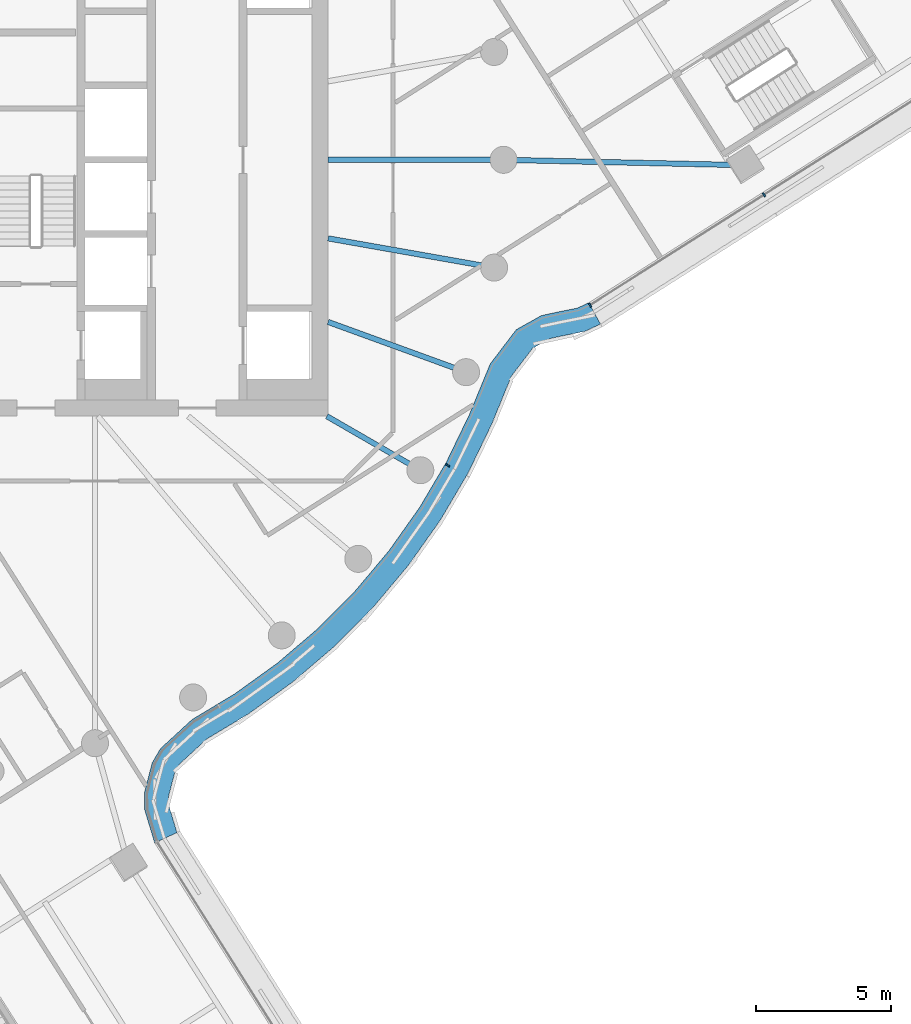
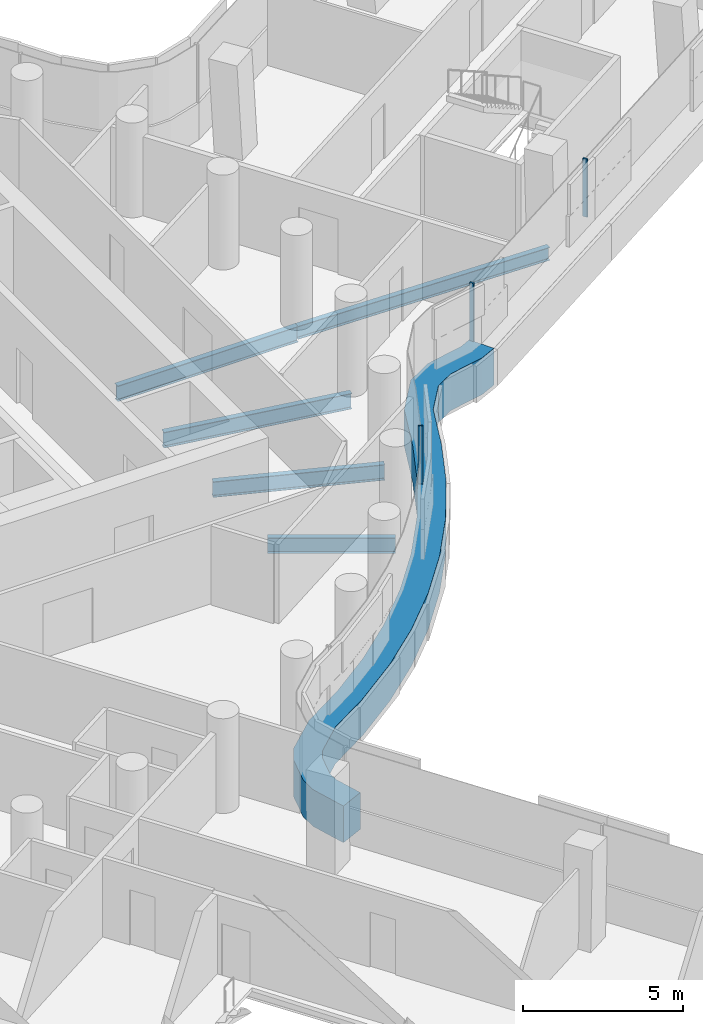
# One storey, part 12 of 36: 5 beams, 4 members, 2 elements without a shape of their own.
"""IFC4 building model written with IfcOpenShell, lengths in metres."""

from ifc_helpers import new_model, si_unit, direction, frame, origin, origin_2d, place, context, subcontext, project, spatial, polyline, rectangle, i_section, outline, extrude, material, layer, layer_set, material_profile, profile_set, type_object, element, aggregate, save


model = new_model("IFC4")

# Units and contexts
model_context = context("Model", 3, precision=1e-05, world=origin(), true_north=direction((0.0, 1.0)))
body_context = subcontext(model_context, "Body", "Model", "MODEL_VIEW")
ifc_project = project(units=[si_unit("LENGTHUNIT", "METRE"), si_unit("AREAUNIT", "SQUARE_METRE"), si_unit("VOLUMEUNIT", "CUBIC_METRE"), si_unit("PLANEANGLEUNIT", "RADIAN"), si_unit("MASSUNIT", "GRAM", prefix="KILO")], contexts=[model_context])

# Site, building, storey
site_placement = place(None, origin())
site = spatial("IfcSite", under=ifc_project, at=site_placement, CompositionType="ELEMENT")
building_placement = place(site_placement, origin())
building = spatial("IfcBuilding", under=site, at=building_placement, Name="Tamarind Cross Interchange Tower", CompositionType="ELEMENT")
storey_placement = place(building_placement, frame((0.0, 0.0, 151.75)))
storey = spatial("IfcBuildingStorey", under=building, at=storey_placement, Name="L37", CompositionType="ELEMENT", Elevation=151.75)

# Beams
ifc_material_1 = material(Name="Steel Q355B", Category="steel")
ifc_material_profile_1 = material_profile(ifc_material_1, i_section(OverallWidth=0.198974609375, OverallDepth=0.49609375, WebThickness=0.009033203125, FlangeThickness=0.013916015625, FilletRadius=0.012939453125, at=origin_2d()), Name="HN 496x199x9x14")
ifc_profile_set_1 = profile_set([ifc_material_profile_1], Name="Steel Q355B")
beam_type_1 = type_object("IfcBeamType", Name="Composite beam HN 496x199x9x14 Q355B", PredefinedType="BEAM", material=ifc_profile_set_1)
beam_1_placement = place(storey_placement, frame((31.954833984375, -0.198486328125, -0.387939453125), z_axis=(-0.999754440844, 0.022159828796, 0.0), x_axis=(-0.022159828796, -0.999754440844, 0.0)))
element("IfcBeam", 1, at=beam_1_placement, inside=storey, type_object=beam_type_1, Name="Beam E-linkem", PredefinedType="BEAM", context=body_context, shape_type="SweptSolid", body=[
    extrude(i_section(OverallWidth=0.198974609375, OverallDepth=0.49609375, WebThickness=0.009033203125, FlangeThickness=0.013916015625, FilletRadius=0.012939453125, at=origin_2d()), origin(), (0.0, 0.0, 1.0), 8.95703125),
])
ifc_material_profile_2 = material_profile(ifc_material_1, i_section(OverallWidth=0.198974609375, OverallDepth=0.595947265625, WebThickness=0.010009765625, FlangeThickness=0.014892578125, FilletRadius=0.012939453125, at=origin_2d()), Name="HN 596x199x10x15")
ifc_profile_set_2 = profile_set([ifc_material_profile_2], Name="Steel Q355B")
beam_type_2 = type_object("IfcBeamType", Name="Composite beam HN 596x199x10x15 Q355B", PredefinedType="BEAM", material=ifc_profile_set_2)
beam_2_placement = place(storey_placement, frame((23.0, 0.0, -0.43798828125), z_axis=(-1.0, 0.0, 0.0), x_axis=(0.0, -1.0, 0.0)))
element("IfcBeam", 2, at=beam_2_placement, inside=storey, type_object=beam_type_2, Name="Beam HH00", PredefinedType="BEAM", context=body_context, shape_type="SweptSolid", body=[
    extrude(i_section(OverallWidth=0.198974609375, OverallDepth=0.595947265625, WebThickness=0.010009765625, FlangeThickness=0.014892578125, FilletRadius=0.012939453125, at=origin_2d()), origin(), (0.0, 0.0, 1.0), 6.5),
])
beam_3_placement = place(storey_placement, frame((19.918701171875, -11.5, -0.43798828125), z_axis=(-0.866026010844, 0.49999894854, 0.0), x_axis=(-0.49999894854, -0.866026010844, 0.0)))
element("IfcBeam", 3, at=beam_3_placement, inside=storey, type_object=beam_type_2, Name="Beam HH33", PredefinedType="BEAM", context=body_context, shape_type="SweptSolid", body=[
    extrude(i_section(OverallWidth=0.198974609375, OverallDepth=0.595947265625, WebThickness=0.010009765625, FlangeThickness=0.014892578125, FilletRadius=0.012939453125, at=origin_2d()), origin(), (0.0, 0.0, 1.0), 4.0),
])
beam_4_placement = place(storey_placement, frame((21.613037109375, -7.866455078125, -0.43798828125), z_axis=(-0.939701685589, 0.341995236956, 0.0), x_axis=(-0.341995236956, -0.939701685589, 0.0)))
element("IfcBeam", 4, at=beam_4_placement, inside=storey, type_object=beam_type_2, Name="Beam HH34", PredefinedType="BEAM", context=body_context, shape_type="SweptSolid", body=[
    extrude(i_section(OverallWidth=0.198974609375, OverallDepth=0.595947265625, WebThickness=0.010009765625, FlangeThickness=0.014892578125, FilletRadius=0.012939453125, at=origin_2d()), origin(), (0.0, 0.0, 1.0), 5.441162109375),
])
beam_5_placement = place(storey_placement, frame((22.650634765625, -3.993896484375, -0.43798828125), z_axis=(-0.984809127561, 0.173640382036, 0.0), x_axis=(-0.173640382036, -0.984809127561, 0.0)))
element("IfcBeam", 5, at=beam_5_placement, inside=storey, type_object=beam_type_2, Name="Beam HH35", PredefinedType="BEAM", context=body_context, shape_type="SweptSolid", body=[
    extrude(i_section(OverallWidth=0.198974609375, OverallDepth=0.595947265625, WebThickness=0.010009765625, FlangeThickness=0.014892578125, FilletRadius=0.012939453125, at=origin_2d()), origin(), (0.0, 0.0, 1.0), 6.24560546875),
])

# Curtain wall, members
ifc_material_2 = material(Name="Aluminium 6063-T6", Category="aluminium")
ifc_layer = layer(ifc_material_2, 0.159912109375)
ifc_layer_set = layer_set([ifc_layer], Name="Aluminium 6063-T6")
curtain_wall_type = type_object("IfcCurtainWallType", Name="Office curtain wall, 9.0 m bays", PredefinedType="NOTDEFINED", material=ifc_layer_set)
curtain_wall_1_placement = place(storey_placement, origin())
curtain_wall_1 = element("IfcCurtainWall", 6, at=curtain_wall_1_placement, inside=storey, type_object=curtain_wall_type, Name="CWS-L37-10", PredefinedType="NOTDEFINED")
ifc_material_3 = material(Name="Aluminium and insulated spandrel panel", Category="aluminium")
member_type_1 = type_object("IfcMemberType", Name="Floor-edge blade transom", PredefinedType="USERDEFINED", material=ifc_material_3)
member_1_placement = place(storey_placement, origin())
member_1 = element("IfcMember", 7, at=member_1_placement, type_object=member_type_1, Name="CWT-L37-10", ObjectType="TRANSOM", PredefinedType="USERDEFINED", context=body_context, shape_type="SweptSolid", body=[
    extrude(outline(polyline([(10.07470703125, -25.30517578125), (9.70361328125, -24.06982421875), (9.692138671875, -23.457763671875), (9.982421875, -22.3427734375), (10.29296875, -21.810302734375), (11.46826171875, -20.731201171875), (13.04541015625, -19.78125), (14.634521484375, -18.636474609375), (16.12353515625, -17.3642578125), (17.50244140625, -15.973388671875), (18.76171875, -14.4736328125), (19.892822265625, -12.874755859375), (20.88818359375, -11.188232421875), (21.741943359375, -9.422119140625), (22.506103515625, -7.56005859375), (23.4736328125, -6.28857421875), (24.40234375, -5.769287109375), (25.041259765625, -5.631103515625), (25.73779296875, -5.490966796875), (26.161376953125, -5.294677734375), (26.59375, -6.086181640625), (26.019775390625, -6.352294921875), (25.22509765625, -6.51220703125), (24.72412109375, -6.62060546875), (24.076416015625, -6.982666015625), (23.293701171875, -8.010986328125), (22.564208984375, -9.7890625), (21.68212890625, -11.613525390625), (20.64892578125, -13.3642578125), (19.474853515625, -15.023681640625), (18.167724609375, -16.580810546875), (16.736572265625, -18.0244140625), (15.19091796875, -19.344970703125), (13.54150390625, -20.533203125), (12.01025390625, -21.455322265625), (11.001708984375, -22.38134765625), (10.822265625, -22.689208984375), (10.59423828125, -23.564697265625), (10.60107421875, -23.92919921875), (10.9013671875, -24.928466796875), (10.07470703125, -25.30517578125)])), origin(), (0.0, 0.0, 1.0), 1.39990234375),
])
ifc_material_profile_3 = material_profile(ifc_material_2, rectangle(XDim=0.06005859375, YDim=0.159912109375, at=origin_2d()), Name="Mullion CW1")
ifc_profile_set_3 = profile_set([ifc_material_profile_3], Name="Aluminium 6063-T6")
member_type_2 = type_object("IfcMemberType", Name="Mullion CW1", PredefinedType="MULLION", material=ifc_profile_set_3)
member_2_placement = place(storey_placement, frame((20.927001953125, -11.31884765625, 1.39990234375), z_axis=(0.0, 0.0, 1.0), x_axis=(0.508183308752, 0.861248933065, 0.0)))
member_2 = element("IfcMember", 8, at=member_2_placement, type_object=member_type_2, Name="CWM-L37-10-02", PredefinedType="MULLION", context=body_context, shape_type="SweptSolid", body=[
    extrude(rectangle(XDim=0.06005859375, YDim=0.159912109375, at=origin_2d()), origin(), (0.0, 0.0, 1.0), 2.210205078125),
])
aggregate(curtain_wall_1, [member_2, member_1])

curtain_wall_2_placement = place(storey_placement, origin())
curtain_wall_2 = element("IfcCurtainWall", 9, at=curtain_wall_2_placement, inside=storey, type_object=curtain_wall_type, Name="CWS-L37-11", PredefinedType="NOTDEFINED")
member_3_placement = place(storey_placement, frame((26.20947265625, -5.382568359375, 1.39990234375), z_axis=(0.0, 0.0, 1.0), x_axis=(0.877658609877, 0.479286307451, 0.0)))
member_3 = element("IfcMember", 10, at=member_3_placement, type_object=member_type_2, Name="CWM-L37-11-00", PredefinedType="MULLION", context=body_context, shape_type="SweptSolid", body=[
    extrude(rectangle(XDim=0.06005859375, YDim=0.159912109375, at=origin_2d()), origin(), (0.0, 0.0, 1.0), 2.210205078125),
])
member_4_placement = place(storey_placement, frame((32.652099609375, -1.295654296875, 1.39990234375), z_axis=(0.0, 0.0, 1.0), x_axis=(0.844432651118, 0.535661738157, 0.0)))
member_4 = element("IfcMember", 11, at=member_4_placement, type_object=member_type_2, Name="CWM-L37-11-01", PredefinedType="MULLION", context=body_context, shape_type="SweptSolid", body=[
    extrude(rectangle(XDim=0.06005859375, YDim=0.159912109375, at=origin_2d()), origin(), (0.0, 0.0, 1.0), 2.210205078125),
])
aggregate(curtain_wall_2, [member_3, member_4])

save(model, "model.ifc")
